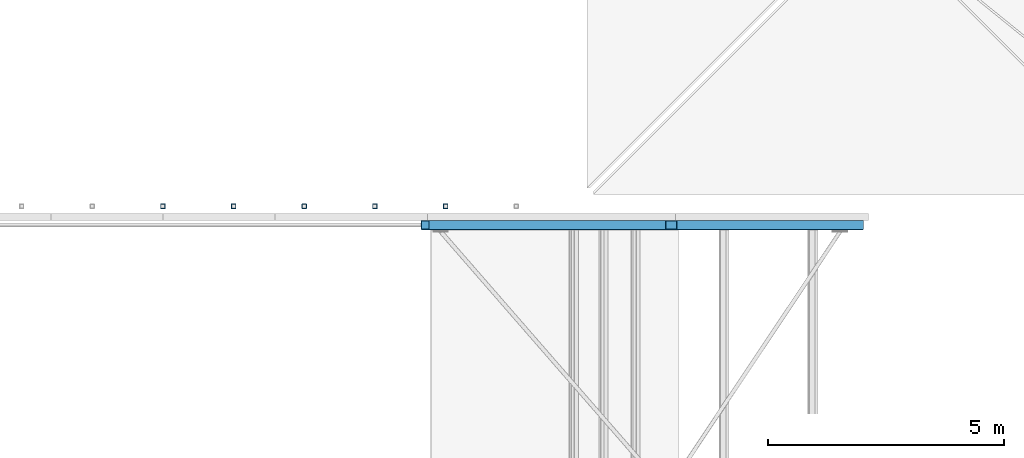
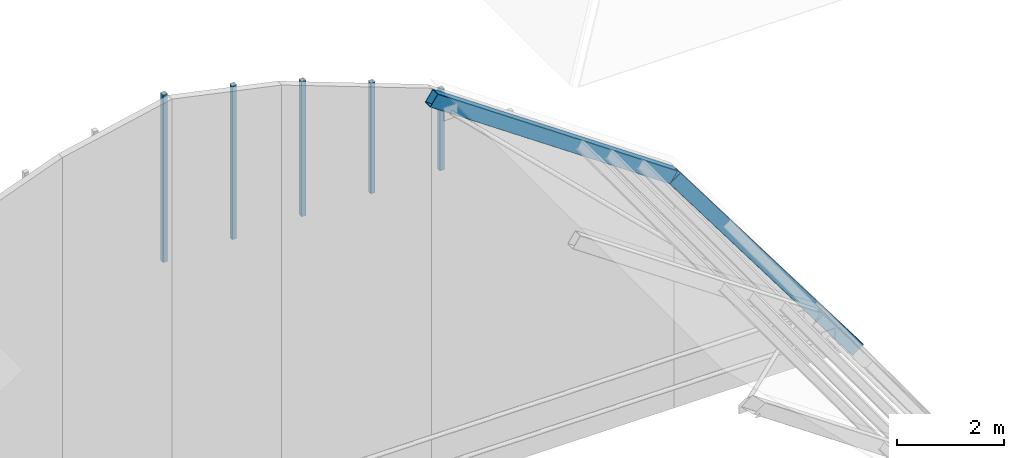
# One storey, part 10 of 43: 5 members, 2 beams.
"""IFC4 building model written with IfcOpenShell, lengths in metres."""

from ifc_helpers import new_model, si_unit, direction, frame, origin, origin_2d, place, context, subcontext, project, spatial, hollow_rectangle, extrude, material, material_profile, profile_set, type_object, element, save


model = new_model("IFC4")

# Units and contexts
model_context = context("Model", 3, precision=1e-05, world=origin(), true_north=direction((0.0, 1.0)))
body_context = subcontext(model_context, "Body", "Model", "MODEL_VIEW")
ifc_project = project(units=[si_unit("LENGTHUNIT", "METRE"), si_unit("AREAUNIT", "SQUARE_METRE"), si_unit("VOLUMEUNIT", "CUBIC_METRE"), si_unit("PLANEANGLEUNIT", "RADIAN"), si_unit("MASSUNIT", "GRAM", prefix="KILO")], contexts=[model_context])

# Site, building, storey
site_placement = place(None, origin())
site = spatial("IfcSite", under=ifc_project, at=site_placement, CompositionType="ELEMENT")
building_placement = place(site_placement, origin())
building = spatial("IfcBuilding", under=site, at=building_placement, Name="Saffron Lane Theatres", CompositionType="ELEMENT")
storey_placement = place(building_placement, frame((0.0, 0.0, 23.0)))
storey = spatial("IfcBuildingStorey", under=building, at=storey_placement, Name="Roof", CompositionType="ELEMENT", Elevation=23.0)

# Members
ifc_material_1 = material(Name="Steel Grade 350", Category="steel")
ifc_material_profile_1 = material_profile(ifc_material_1, hollow_rectangle(XDim=0.10009765625, YDim=0.10009765625, WallThickness=0.006103515625, InnerFilletRadius=0.0029296875, OuterFilletRadius=0.009033203125, at=origin_2d()))
ifc_profile_set_1 = profile_set([ifc_material_profile_1], Name="Steel Grade 350")
member_type = type_object("IfcMemberType", Name="ST-LANTERN POST 100x100x6 SHS", PredefinedType="POST", material=ifc_profile_set_1)
member_1_placement = place(storey_placement, frame((33.0, 89.75, 5.0), z_axis=(0.0, 0.0, 1.0), x_axis=(1.0, 0.0, 0.0)))
element("IfcMember", 1, at=member_1_placement, inside=storey, type_object=member_type, Name="VL6", PredefinedType="POST", context=body_context, shape_type="SweptSolid", body=[
    extrude(hollow_rectangle(XDim=0.10009765625, YDim=0.10009765625, WallThickness=0.006103515625, InnerFilletRadius=0.0029296875, OuterFilletRadius=0.009033203125, at=origin_2d()), origin(), (0.0, 0.0, 1.0), 3.83349609375),
])
member_2_placement = place(storey_placement, frame((34.5, 89.75, 5.0), z_axis=(0.0, 0.0, 1.0), x_axis=(1.0, 0.0, 0.0)))
element("IfcMember", 2, at=member_2_placement, inside=storey, type_object=member_type, Name="VL7", PredefinedType="POST", context=body_context, shape_type="SweptSolid", body=[
    extrude(hollow_rectangle(XDim=0.10009765625, YDim=0.10009765625, WallThickness=0.006103515625, InnerFilletRadius=0.0029296875, OuterFilletRadius=0.009033203125, at=origin_2d()), origin(), (0.0, 0.0, 1.0), 3.511962890625),
])
member_3_placement = place(storey_placement, frame((36.0, 89.75, 5.0), z_axis=(0.0, 0.0, 1.0), x_axis=(1.0, 0.0, 0.0)))
element("IfcMember", 3, at=member_3_placement, inside=storey, type_object=member_type, Name="VL8", PredefinedType="POST", context=body_context, shape_type="SweptSolid", body=[
    extrude(hollow_rectangle(XDim=0.10009765625, YDim=0.10009765625, WallThickness=0.006103515625, InnerFilletRadius=0.0029296875, OuterFilletRadius=0.009033203125, at=origin_2d()), origin(), (0.0, 0.0, 1.0), 3.091552734375),
])
member_4_placement = place(storey_placement, frame((37.5, 89.75, 5.0), z_axis=(0.0, 0.0, 1.0), x_axis=(1.0, 0.0, 0.0)))
element("IfcMember", 4, at=member_4_placement, inside=storey, type_object=member_type, Name="VL9", PredefinedType="POST", context=body_context, shape_type="SweptSolid", body=[
    extrude(hollow_rectangle(XDim=0.10009765625, YDim=0.10009765625, WallThickness=0.006103515625, InnerFilletRadius=0.0029296875, OuterFilletRadius=0.009033203125, at=origin_2d()), origin(), (0.0, 0.0, 1.0), 2.53173828125),
])
member_5_placement = place(storey_placement, frame((39.0, 89.75, 5.0), z_axis=(0.0, 0.0, 1.0), x_axis=(1.0, 0.0, 0.0)))
element("IfcMember", 5, at=member_5_placement, inside=storey, type_object=member_type, Name="VL10", PredefinedType="POST", context=body_context, shape_type="SweptSolid", body=[
    extrude(hollow_rectangle(XDim=0.10009765625, YDim=0.10009765625, WallThickness=0.006103515625, InnerFilletRadius=0.0029296875, OuterFilletRadius=0.009033203125, at=origin_2d()), origin(), (0.0, 0.0, 1.0), 1.85205078125),
])

# Beams
ifc_material_2 = material(Name="Steel Grade 350", Category="steel")
ifc_material_profile_2 = material_profile(ifc_material_2, hollow_rectangle(XDim=0.199951171875, YDim=0.300048828125, WallThickness=0.010009765625, InnerFilletRadius=0.0048828125, OuterFilletRadius=0.014892578125, at=origin_2d()))
ifc_profile_set_2 = profile_set([ifc_material_profile_2], Name="Steel Grade 350")
beam_type = type_object("IfcBeamType", Name="ST-VAULT RIB 300x200x10 RHS", PredefinedType="USERDEFINED", material=ifc_profile_set_2)
beam_1_placement = place(storey_placement, frame((38.56494140625, 89.35009765625, 7.01953125), z_axis=(0.823484273619, 0.0, -0.567339097104), x_axis=(0.0, 1.0, 0.0)))
element("IfcBeam", 6, at=beam_1_placement, inside=storey, type_object=beam_type, Name="VR7G", ObjectType="VAULT RIB", PredefinedType="USERDEFINED", context=body_context, shape_type="SweptSolid", body=[
    extrude(hollow_rectangle(XDim=0.199951171875, YDim=0.300048828125, WallThickness=0.010009765625, InnerFilletRadius=0.0048828125, OuterFilletRadius=0.014892578125, at=origin_2d()), origin(), (0.0, 0.0, 1.0), 6.302001953125),
])
beam_2_placement = place(storey_placement, frame((43.7900390625, 89.35009765625, 3.41015625), z_axis=(0.597057046595, 0.0, -0.802198780298), x_axis=(0.0, 1.0, 0.0)))
element("IfcBeam", 7, at=beam_2_placement, inside=storey, type_object=beam_type, Name="VR7H", ObjectType="VAULT RIB", PredefinedType="USERDEFINED", context=body_context, shape_type="SweptSolid", body=[
    extrude(hollow_rectangle(XDim=0.199951171875, YDim=0.300048828125, WallThickness=0.010009765625, InnerFilletRadius=0.0048828125, OuterFilletRadius=0.014892578125, at=origin_2d()), origin(), (0.0, 0.0, 1.0), 6.632568359375),
])

save(model, "model.ifc")
